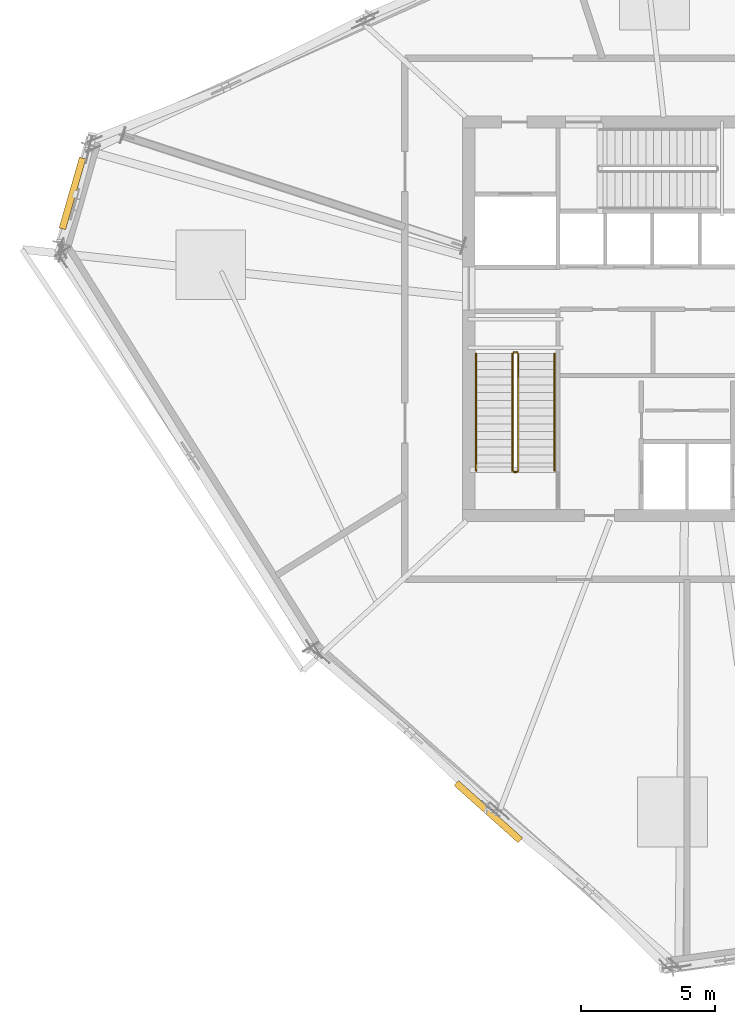
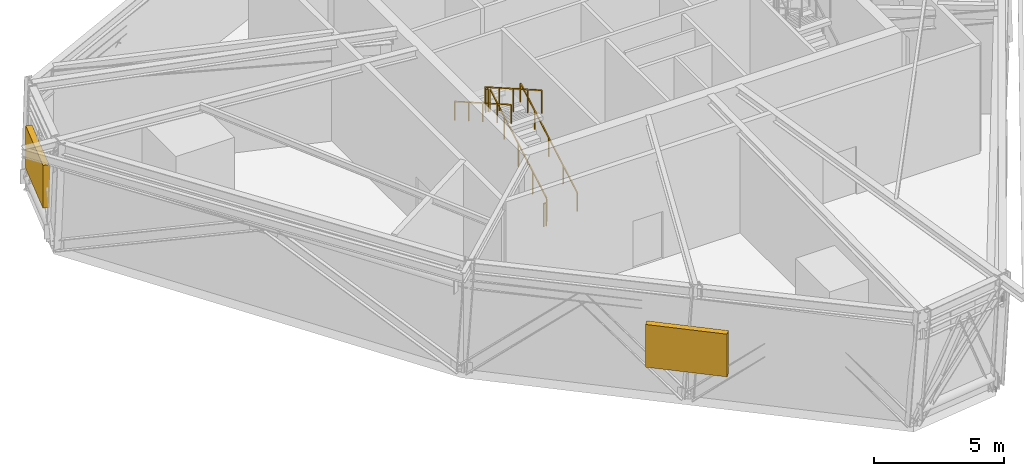
# One storey, part 12 of 15: 6 railings, 2 shading devices.
"""IFC4 building model written with IfcOpenShell, lengths in metres."""

from ifc_helpers import new_model, si_unit, direction, frame, origin, origin_2d, place, context, subcontext, project, spatial, rectangle, extrude, source, transform, mapped, material, type_object, element, save


model = new_model("IFC4")

# Units and contexts
model_context = context("Model", 3, precision=1e-05, world=origin(), true_north=direction((0.0, 1.0)))
body_context = subcontext(model_context, "Body", "Model", "MODEL_VIEW")
ifc_project = project(units=[si_unit("LENGTHUNIT", "METRE"), si_unit("AREAUNIT", "SQUARE_METRE"), si_unit("VOLUMEUNIT", "CUBIC_METRE"), si_unit("PLANEANGLEUNIT", "RADIAN"), si_unit("MASSUNIT", "GRAM", prefix="KILO")], contexts=[model_context])

# Site, building, storey
site_placement = place(None, origin())
site = spatial("IfcSite", under=ifc_project, at=site_placement, CompositionType="ELEMENT")
building_placement = place(site_placement, origin())
building = spatial("IfcBuilding", under=site, at=building_placement, Name="Olszyna Solenne Hotel", CompositionType="ELEMENT")
storey_placement = place(building_placement, frame((0.0, 0.0, 204.300048828125)))
storey = spatial("IfcBuildingStorey", under=building, at=storey_placement, Name="L54", CompositionType="ELEMENT", Elevation=204.300048828125)

# Railings
ifc_material_1 = material(Name="Anodised bronze aluminium", Category="aluminium")
railing_type_1 = type_object("IfcRailingType", Name="GR-110", PredefinedType="BALUSTRADE", material=ifc_material_1)
railing_1_placement = place(storey_placement, frame((31.719970703125, 20.949951171875, 0.16552734375)))
element("IfcRailing", 1, at=railing_1_placement, inside=storey, type_object=railing_type_1, Name="L54 ST1 stair guard 1", PredefinedType="BALUSTRADE", context=body_context, shape_type="SweptSolid", body=[
    extrude(rectangle(XDim=0.048095703125, YDim=0.048095703125, at=origin_2d()), frame((0.0, 0.0, 1.076171875), z_axis=(0.0, 0.868363080214, 0.49592898778), x_axis=(-1.0, 0.0, 0.0)), (0.0, 0.0, 1.0), 5.009521484375),
    extrude(rectangle(XDim=0.0419921875, YDim=0.0419921875, at=origin_2d()), origin(), (0.0, 0.0, 1.0), 1.052001953125),
    extrude(rectangle(XDim=0.0419921875, YDim=0.0419921875, at=origin_2d()), frame((0.0, 1.08740234375, 0.62109375)), (0.0, 0.0, 1.0), 1.052001953125),
    extrude(rectangle(XDim=0.0419921875, YDim=0.0419921875, at=origin_2d()), frame((0.0, 2.175048828125, 1.2421875)), (0.0, 0.0, 1.0), 1.052001953125),
    extrude(rectangle(XDim=0.0419921875, YDim=0.0419921875, at=origin_2d()), frame((0.0, 3.2626953125, 1.86328125)), (0.0, 0.0, 1.0), 1.052001953125),
    extrude(rectangle(XDim=0.0419921875, YDim=0.0419921875, at=origin_2d()), frame((0.0, 4.35009765625, 2.484375)), (0.0, 0.0, 1.0), 1.052001953125),
])
railing_2_placement = place(storey_placement, frame((31.669921875, 25.35009765625, 2.64990234375)))
element("IfcRailing", 2, at=railing_2_placement, inside=storey, type_object=railing_type_1, Name="L54 ST1 stair guard 2", PredefinedType="BALUSTRADE", context=body_context, shape_type="SweptSolid", body=[
    extrude(rectangle(XDim=0.048095703125, YDim=0.048095703125, at=origin_2d()), frame((0.0, 0.0, 1.076171875), z_axis=(-1.0, 0.0, 0.0), x_axis=(0.0, -1.0, 0.0)), (0.0, 0.0, 1.0), 0.119873046875),
    extrude(rectangle(XDim=0.0419921875, YDim=0.0419921875, at=origin_2d()), origin(), (0.0, 0.0, 1.0), 1.052001953125),
    extrude(rectangle(XDim=0.0419921875, YDim=0.0419921875, at=origin_2d()), frame((-0.119873046875, 0.0, 0.0)), (0.0, 0.0, 1.0), 1.052001953125),
])
railing_3_placement = place(storey_placement, frame((31.5, 25.300048828125, 2.815673828125)))
element("IfcRailing", 3, at=railing_3_placement, inside=storey, type_object=railing_type_1, Name="L54 ST1 stair guard 3", PredefinedType="BALUSTRADE", context=body_context, shape_type="SweptSolid", body=[
    extrude(rectangle(XDim=0.048095703125, YDim=0.048095703125, at=origin_2d()), frame((0.0, 0.0, 1.076171875), z_axis=(0.0, -0.868363080214, 0.49592898778), x_axis=(1.0, 0.0, 0.0)), (0.0, 0.0, 1.0), 5.009521484375),
    extrude(rectangle(XDim=0.0419921875, YDim=0.0419921875, at=origin_2d()), origin(), (0.0, 0.0, 1.0), 1.052001953125),
    extrude(rectangle(XDim=0.0419921875, YDim=0.0419921875, at=origin_2d()), frame((0.0, -1.08740234375, 0.62109375)), (0.0, 0.0, 1.0), 1.052001953125),
    extrude(rectangle(XDim=0.0419921875, YDim=0.0419921875, at=origin_2d()), frame((0.0, -2.175048828125, 1.2421875)), (0.0, 0.0, 1.0), 1.052001953125),
    extrude(rectangle(XDim=0.0419921875, YDim=0.0419921875, at=origin_2d()), frame((0.0, -3.2626953125, 1.86328125)), (0.0, 0.0, 1.0), 1.052001953125),
    extrude(rectangle(XDim=0.0419921875, YDim=0.0419921875, at=origin_2d()), frame((0.0, -4.35009765625, 2.484375)), (0.0, 0.0, 1.0), 1.052001953125),
])
railing_4_placement = place(storey_placement, frame((31.669921875, 20.89990234375, 0.0)))
element("IfcRailing", 4, at=railing_4_placement, inside=storey, type_object=railing_type_1, Name="L54 ST1 stair guard 4", PredefinedType="BALUSTRADE", context=body_context, shape_type="SweptSolid", body=[
    extrude(rectangle(XDim=0.048095703125, YDim=0.048095703125, at=origin_2d()), frame((0.0, 0.0, 1.076171875), z_axis=(-1.0, 0.0, 0.0), x_axis=(0.0, -1.0, 0.0)), (0.0, 0.0, 1.0), 0.119873046875),
    extrude(rectangle(XDim=0.0419921875, YDim=0.0419921875, at=origin_2d()), origin(), (0.0, 0.0, 1.0), 1.052001953125),
    extrude(rectangle(XDim=0.0419921875, YDim=0.0419921875, at=origin_2d()), frame((-0.119873046875, 0.0, 0.0)), (0.0, 0.0, 1.0), 1.052001953125),
])
ifc_material_2 = material(Name="Steel S355J2", Category="steel")
railing_type_2 = type_object("IfcRailingType", Name="HR-090", PredefinedType="HANDRAIL", material=ifc_material_2)
railing_5_placement = place(storey_placement, frame((33.070068359375, 20.949951171875, 0.16552734375)))
element("IfcRailing", 5, at=railing_5_placement, inside=storey, type_object=railing_type_2, Name="L54 ST1 stair handrail 1", PredefinedType="HANDRAIL", context=body_context, shape_type="SweptSolid", body=[
    extrude(rectangle(XDim=0.048095703125, YDim=0.048095703125, at=origin_2d()), frame((0.0, 0.0, 0.8759765625), z_axis=(0.0, 0.868363080214, 0.49592898778), x_axis=(-1.0, 0.0, 0.0)), (0.0, 0.0, 1.0), 5.009521484375),
    extrude(rectangle(XDim=0.0419921875, YDim=0.0419921875, at=origin_2d()), origin(), (0.0, 0.0, 1.0), 0.851806640625),
    extrude(rectangle(XDim=0.0419921875, YDim=0.0419921875, at=origin_2d()), frame((0.0, 1.08740234375, 0.62109375)), (0.0, 0.0, 1.0), 0.851806640625),
    extrude(rectangle(XDim=0.0419921875, YDim=0.0419921875, at=origin_2d()), frame((0.0, 2.175048828125, 1.2421875)), (0.0, 0.0, 1.0), 0.851806640625),
    extrude(rectangle(XDim=0.0419921875, YDim=0.0419921875, at=origin_2d()), frame((0.0, 3.2626953125, 1.86328125)), (0.0, 0.0, 1.0), 0.851806640625),
    extrude(rectangle(XDim=0.0419921875, YDim=0.0419921875, at=origin_2d()), frame((0.0, 4.35009765625, 2.484375)), (0.0, 0.0, 1.0), 0.851806640625),
])
railing_6_placement = place(storey_placement, frame((30.14990234375, 25.300048828125, 2.815673828125)))
element("IfcRailing", 6, at=railing_6_placement, inside=storey, type_object=railing_type_2, Name="L54 ST1 stair handrail 2", PredefinedType="HANDRAIL", context=body_context, shape_type="SweptSolid", body=[
    extrude(rectangle(XDim=0.048095703125, YDim=0.048095703125, at=origin_2d()), frame((0.0, 0.0, 0.8759765625), z_axis=(0.0, -0.868363080214, 0.49592898778), x_axis=(1.0, 0.0, 0.0)), (0.0, 0.0, 1.0), 5.009521484375),
    extrude(rectangle(XDim=0.0419921875, YDim=0.0419921875, at=origin_2d()), origin(), (0.0, 0.0, 1.0), 0.851806640625),
    extrude(rectangle(XDim=0.0419921875, YDim=0.0419921875, at=origin_2d()), frame((0.0, -1.08740234375, 0.62109375)), (0.0, 0.0, 1.0), 0.851806640625),
    extrude(rectangle(XDim=0.0419921875, YDim=0.0419921875, at=origin_2d()), frame((0.0, -2.175048828125, 1.2421875)), (0.0, 0.0, 1.0), 0.851806640625),
    extrude(rectangle(XDim=0.0419921875, YDim=0.0419921875, at=origin_2d()), frame((0.0, -3.2626953125, 1.86328125)), (0.0, 0.0, 1.0), 0.851806640625),
    extrude(rectangle(XDim=0.0419921875, YDim=0.0419921875, at=origin_2d()), frame((0.0, -4.35009765625, 2.484375)), (0.0, 0.0, 1.0), 0.851806640625),
])

# Shading devices
ifc_material_3 = material(Name="Terracotta cladding", Category="masonry")
shading_device_type = type_object("IfcShadingDeviceType", Name="SH-LV1", PredefinedType="JALOUSIE", material=ifc_material_3)
shared_shape_1 = source(origin(), body_context, "Body", "SweptSolid", [
    extrude(rectangle(XDim=3.199951171875, YDim=0.25, at=origin_2d()), origin(), (0.0, 0.0, 1.0), 2.0),
])
shading_device_1_placement = place(storey_placement, frame((30.603271484375, 8.25048828125, 1.285888671875), z_axis=(0.0, 0.0, 1.0), x_axis=(-0.745475999683, 0.666532470249, 0.0)))
element("IfcShadingDevice", 7, at=shading_device_1_placement, inside=storey, type_object=shading_device_type, Name="Terracotta acoustic plant louvre bank LV-L54-03", PredefinedType="JALOUSIE", context=body_context, shape_type="MappedRepresentation", body=[
    mapped(shared_shape_1, transform((0.0, 0.0, 0.0), x_axis=(1.0, 0.0, 0.0), y_axis=(0.0, 1.0, 0.0), z_axis=(0.0, 0.0, 1.0), scale=1.0)),
])
shared_shape_2 = source(origin(), body_context, "Body", "SweptSolid", [
    extrude(rectangle(XDim=2.736328125, YDim=0.25, at=origin_2d()), origin(), (0.0, 0.0, 1.0), 2.0),
])
shading_device_2_placement = place(storey_placement, frame((15.123046875, 31.267822265625, 1.285888671875), z_axis=(0.0, 0.0, 1.0), x_axis=(0.275637355817, 0.961261695938, 0.0)))
element("IfcShadingDevice", 8, at=shading_device_2_placement, inside=storey, type_object=shading_device_type, Name="Terracotta acoustic plant louvre bank LV-L54-05", PredefinedType="JALOUSIE", context=body_context, shape_type="MappedRepresentation", body=[
    mapped(shared_shape_2, transform((0.0, 0.0, 0.0), x_axis=(1.0, 0.0, 0.0), y_axis=(0.0, 1.0, 0.0), z_axis=(0.0, 0.0, 1.0), scale=1.0)),
])

save(model, "model.ifc")
